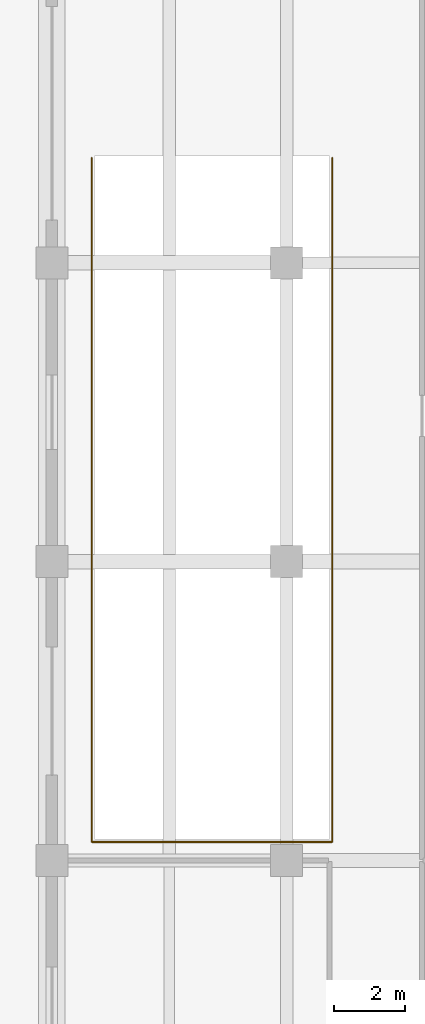
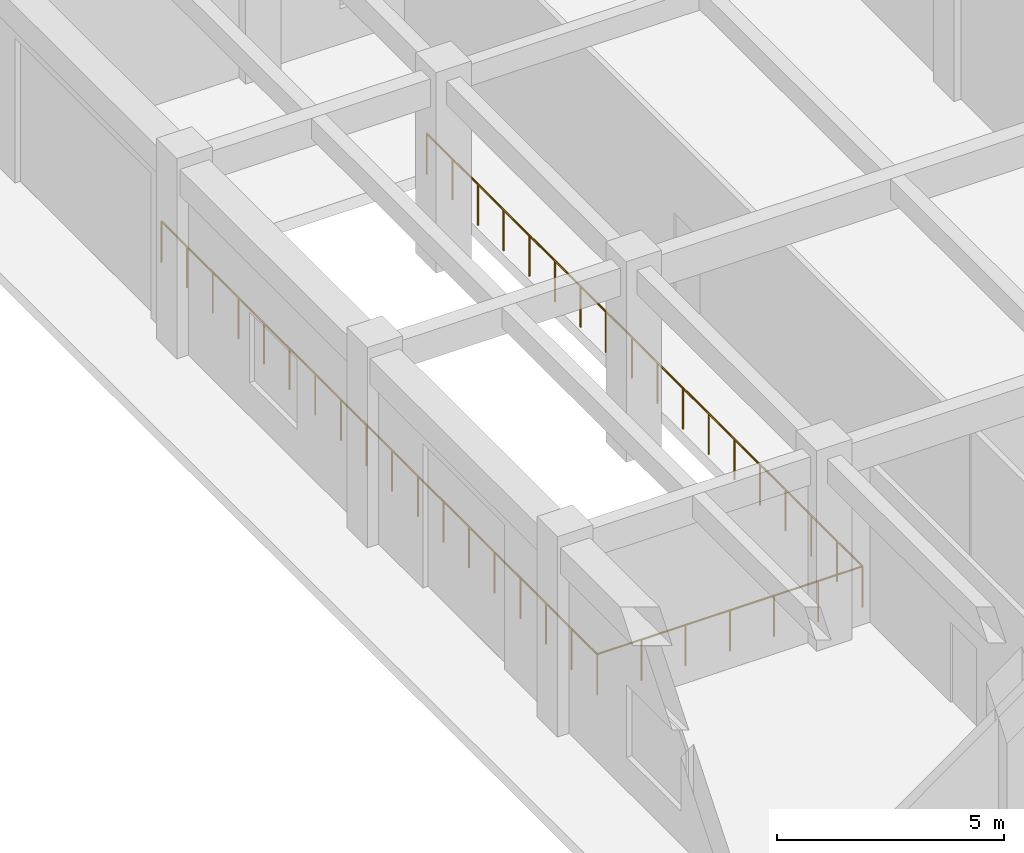
# One storey, part 66 of 70: 1 railing.
"""IFC4 building model written with IfcOpenShell, lengths in metres."""

from ifc_helpers import new_model, si_unit, direction, frame, origin, origin_2d, place, context, subcontext, project, spatial, circle, extrude, material, type_object, element, save


model = new_model("IFC4")

# Units and contexts
model_context = context("Model", 3, precision=1e-05, world=origin(), true_north=direction((0.0, 1.0)))
body_context = subcontext(model_context, "Body", "Model", "MODEL_VIEW")
ifc_project = project(units=[si_unit("LENGTHUNIT", "METRE"), si_unit("AREAUNIT", "SQUARE_METRE"), si_unit("VOLUMEUNIT", "CUBIC_METRE"), si_unit("PLANEANGLEUNIT", "RADIAN"), si_unit("MASSUNIT", "GRAM", prefix="KILO")], contexts=[model_context])

# Site, building, storey
site_placement = place(None, origin())
site = spatial("IfcSite", under=ifc_project, at=site_placement, CompositionType="ELEMENT")
building_placement = place(site_placement, origin())
building = spatial("IfcBuilding", under=site, at=building_placement, Name="Miralva Faculty of Natural Sciences", CompositionType="ELEMENT")
storey_placement = place(building_placement, origin())
storey = spatial("IfcBuildingStorey", under=building, at=storey_placement, Name="L00", CompositionType="ELEMENT", Elevation=0.0)

# Railing
ifc_material = material(Name="Steel S355", Category="steel")
railing_type = type_object("IfcRailingType", Name="RL-GR01", PredefinedType="GUARDRAIL", material=ifc_material)
railing_placement = place(storey_placement, frame((4.1201171875, 111.550048828125, 0.0)))
element("IfcRailing", 1, at=railing_placement, inside=storey, type_object=railing_type, Name="Vehicle ramp well perimeter safety guard L00", PredefinedType="GUARDRAIL", context=body_context, shape_type="SweptSolid", body=[
    extrude(circle(Radius=0.02392578125, at=origin_2d()), frame((0.0, 0.0, 1.09619140625), z_axis=(0.0, -1.0, 0.0), x_axis=(1.0, 0.0, 0.0)), (0.0, 0.0, 1.0), 19.22998046875),
    extrude(circle(Radius=0.02392578125, at=origin_2d()), frame((0.0, -19.22998046875, 1.09619140625), z_axis=(1.0, 0.0, 0.0), x_axis=(0.0, 1.0, 0.0)), (0.0, 0.0, 1.0), 6.759765625),
    extrude(circle(Radius=0.02392578125, at=origin_2d()), frame((6.759765625, -19.22998046875, 1.09619140625), z_axis=(0.0, 1.0, 0.0), x_axis=(-1.0, 0.0, 0.0)), (0.0, 0.0, 1.0), 19.22998046875),
    extrude(circle(Radius=0.02099609375, at=origin_2d()), origin(), (0.0, 0.0, 1.0), 1.072021484375),
    extrude(circle(Radius=0.02099609375, at=origin_2d()), frame((0.0, -1.131103515625, 0.0)), (0.0, 0.0, 1.0), 1.072021484375),
    extrude(circle(Radius=0.02099609375, at=origin_2d()), frame((0.0, -2.262451171875, 0.0)), (0.0, 0.0, 1.0), 1.072021484375),
    extrude(circle(Radius=0.02099609375, at=origin_2d()), frame((0.0, -3.3935546875, 0.0)), (0.0, 0.0, 1.0), 1.072021484375),
    extrude(circle(Radius=0.02099609375, at=origin_2d()), frame((0.0, -4.524658203125, 0.0)), (0.0, 0.0, 1.0), 1.072021484375),
    extrude(circle(Radius=0.02099609375, at=origin_2d()), frame((0.0, -5.65576171875, 0.0)), (0.0, 0.0, 1.0), 1.072021484375),
    extrude(circle(Radius=0.02099609375, at=origin_2d()), frame((0.0, -6.787109375, 0.0)), (0.0, 0.0, 1.0), 1.072021484375),
    extrude(circle(Radius=0.02099609375, at=origin_2d()), frame((0.0, -7.918212890625, 0.0)), (0.0, 0.0, 1.0), 1.072021484375),
    extrude(circle(Radius=0.02099609375, at=origin_2d()), frame((0.0, -9.04931640625, 0.0)), (0.0, 0.0, 1.0), 1.072021484375),
    extrude(circle(Radius=0.02099609375, at=origin_2d()), frame((0.0, -10.1806640625, 0.0)), (0.0, 0.0, 1.0), 1.072021484375),
    extrude(circle(Radius=0.02099609375, at=origin_2d()), frame((0.0, -11.311767578125, 0.0)), (0.0, 0.0, 1.0), 1.072021484375),
    extrude(circle(Radius=0.02099609375, at=origin_2d()), frame((0.0, -12.44287109375, 0.0)), (0.0, 0.0, 1.0), 1.072021484375),
    extrude(circle(Radius=0.02099609375, at=origin_2d()), frame((0.0, -13.57421875, 0.0)), (0.0, 0.0, 1.0), 1.072021484375),
    extrude(circle(Radius=0.02099609375, at=origin_2d()), frame((0.0, -14.705322265625, 0.0)), (0.0, 0.0, 1.0), 1.072021484375),
    extrude(circle(Radius=0.02099609375, at=origin_2d()), frame((0.0, -15.83642578125, 0.0)), (0.0, 0.0, 1.0), 1.072021484375),
    extrude(circle(Radius=0.02099609375, at=origin_2d()), frame((0.0, -16.967529296875, 0.0)), (0.0, 0.0, 1.0), 1.072021484375),
    extrude(circle(Radius=0.02099609375, at=origin_2d()), frame((0.0, -18.098876953125, 0.0)), (0.0, 0.0, 1.0), 1.072021484375),
    extrude(circle(Radius=0.02099609375, at=origin_2d()), frame((0.0, -19.22998046875, 0.0)), (0.0, 0.0, 1.0), 1.072021484375),
    extrude(circle(Radius=0.02099609375, at=origin_2d()), frame((1.126708984375, -19.22998046875, 0.0)), (0.0, 0.0, 1.0), 1.072021484375),
    extrude(circle(Radius=0.02099609375, at=origin_2d()), frame((2.253173828125, -19.22998046875, 0.0)), (0.0, 0.0, 1.0), 1.072021484375),
    extrude(circle(Radius=0.02099609375, at=origin_2d()), frame((3.3798828125, -19.22998046875, 0.0)), (0.0, 0.0, 1.0), 1.072021484375),
    extrude(circle(Radius=0.02099609375, at=origin_2d()), frame((4.506591796875, -19.22998046875, 0.0)), (0.0, 0.0, 1.0), 1.072021484375),
    extrude(circle(Radius=0.02099609375, at=origin_2d()), frame((5.633056640625, -19.22998046875, 0.0)), (0.0, 0.0, 1.0), 1.072021484375),
    extrude(circle(Radius=0.02099609375, at=origin_2d()), frame((6.759765625, -19.22998046875, 0.0)), (0.0, 0.0, 1.0), 1.072021484375),
    extrude(circle(Radius=0.02099609375, at=origin_2d()), frame((6.759765625, -18.098876953125, 0.0)), (0.0, 0.0, 1.0), 1.072021484375),
    extrude(circle(Radius=0.02099609375, at=origin_2d()), frame((6.759765625, -16.967529296875, 0.0)), (0.0, 0.0, 1.0), 1.072021484375),
    extrude(circle(Radius=0.02099609375, at=origin_2d()), frame((6.759765625, -15.83642578125, 0.0)), (0.0, 0.0, 1.0), 1.072021484375),
    extrude(circle(Radius=0.02099609375, at=origin_2d()), frame((6.759765625, -14.705322265625, 0.0)), (0.0, 0.0, 1.0), 1.072021484375),
    extrude(circle(Radius=0.02099609375, at=origin_2d()), frame((6.759765625, -13.57421875, 0.0)), (0.0, 0.0, 1.0), 1.072021484375),
    extrude(circle(Radius=0.02099609375, at=origin_2d()), frame((6.759765625, -12.44287109375, 0.0)), (0.0, 0.0, 1.0), 1.072021484375),
    extrude(circle(Radius=0.02099609375, at=origin_2d()), frame((6.759765625, -11.311767578125, 0.0)), (0.0, 0.0, 1.0), 1.072021484375),
    extrude(circle(Radius=0.02099609375, at=origin_2d()), frame((6.759765625, -10.1806640625, 0.0)), (0.0, 0.0, 1.0), 1.072021484375),
    extrude(circle(Radius=0.02099609375, at=origin_2d()), frame((6.759765625, -9.04931640625, 0.0)), (0.0, 0.0, 1.0), 1.072021484375),
    extrude(circle(Radius=0.02099609375, at=origin_2d()), frame((6.759765625, -7.918212890625, 0.0)), (0.0, 0.0, 1.0), 1.072021484375),
    extrude(circle(Radius=0.02099609375, at=origin_2d()), frame((6.759765625, -6.787109375, 0.0)), (0.0, 0.0, 1.0), 1.072021484375),
    extrude(circle(Radius=0.02099609375, at=origin_2d()), frame((6.759765625, -5.65576171875, 0.0)), (0.0, 0.0, 1.0), 1.072021484375),
    extrude(circle(Radius=0.02099609375, at=origin_2d()), frame((6.759765625, -4.524658203125, 0.0)), (0.0, 0.0, 1.0), 1.072021484375),
    extrude(circle(Radius=0.02099609375, at=origin_2d()), frame((6.759765625, -3.3935546875, 0.0)), (0.0, 0.0, 1.0), 1.072021484375),
    extrude(circle(Radius=0.02099609375, at=origin_2d()), frame((6.759765625, -2.262451171875, 0.0)), (0.0, 0.0, 1.0), 1.072021484375),
    extrude(circle(Radius=0.02099609375, at=origin_2d()), frame((6.759765625, -1.131103515625, 0.0)), (0.0, 0.0, 1.0), 1.072021484375),
    extrude(circle(Radius=0.02099609375, at=origin_2d()), frame((6.759765625, 0.0, 0.0)), (0.0, 0.0, 1.0), 1.072021484375),
])

save(model, "model.ifc")
